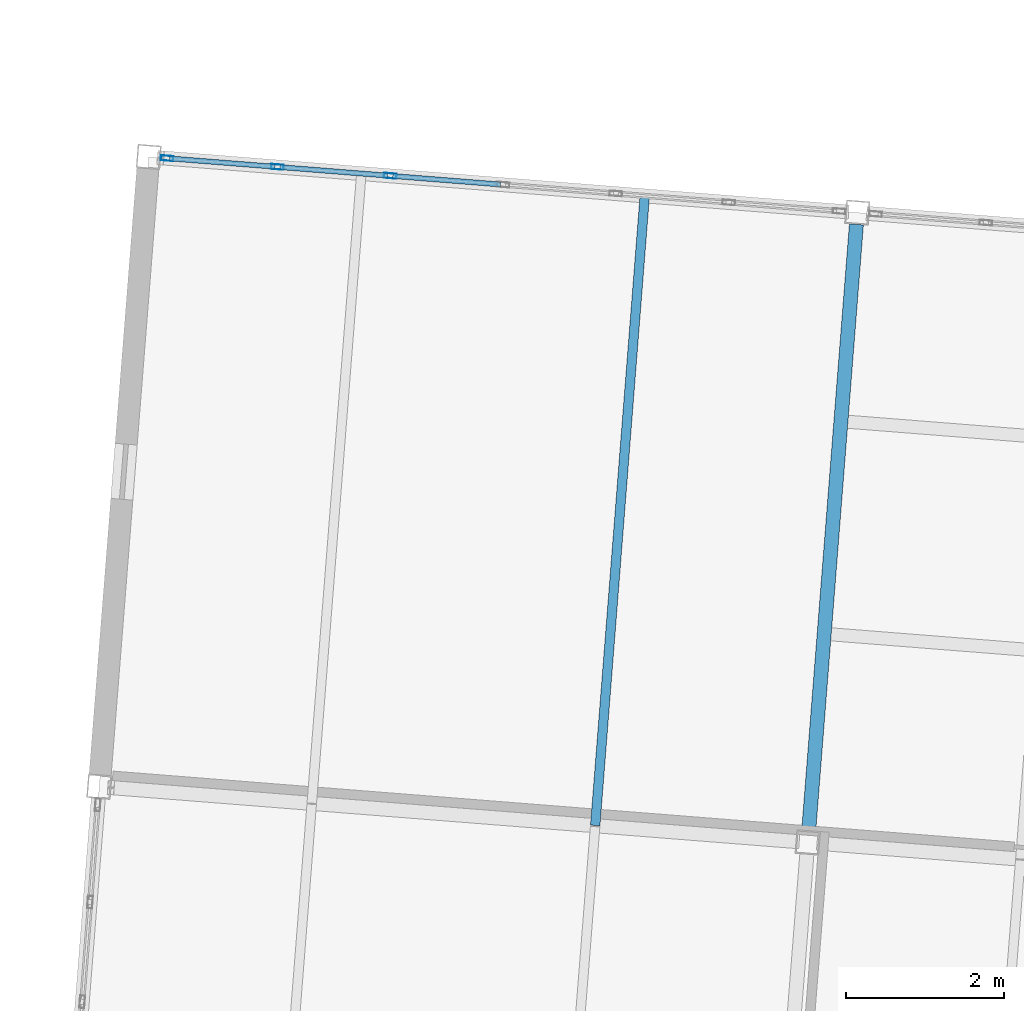
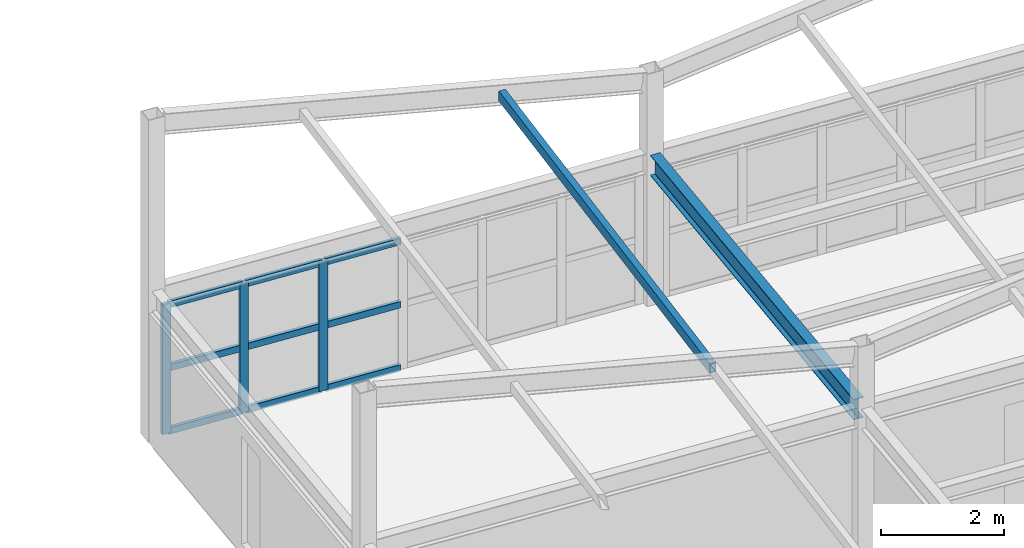
# One storey, part 46 of 127: 13 members, 1 beam, 1 element without a shape of its own.
"""IFC4 building model written with IfcOpenShell, lengths in metres."""

from ifc_helpers import new_model, si_unit, direction, frame, origin, origin_2d, place, context, subcontext, project, spatial, hollow_rectangle, i_section, extrude, material, material_profile, profile_set, type_object, element, aggregate, save


model = new_model("IFC4")

# Units and contexts
model_context = context("Model", 3, precision=1e-05, world=origin(), true_north=direction((0.0, 1.0)))
body_context = subcontext(model_context, "Body", "Model", "MODEL_VIEW")
ifc_project = project(units=[si_unit("LENGTHUNIT", "METRE"), si_unit("AREAUNIT", "SQUARE_METRE"), si_unit("VOLUMEUNIT", "CUBIC_METRE"), si_unit("PLANEANGLEUNIT", "RADIAN"), si_unit("MASSUNIT", "GRAM", prefix="KILO")], contexts=[model_context])

# Site, building, storey
site_placement = place(None, origin())
site = spatial("IfcSite", under=ifc_project, at=site_placement, CompositionType="ELEMENT")
building_placement = place(site_placement, origin())
building = spatial("IfcBuilding", under=site, at=building_placement, Name="Kestramere Prow Commons", CompositionType="ELEMENT")
storey_placement = place(building_placement, frame((0.0, 0.0, 8.39990234375)))
storey = spatial("IfcBuildingStorey", under=building, at=storey_placement, Name="L02", CompositionType="ELEMENT", Elevation=8.39990234375)

# Beam
ifc_material_1 = material(Name="Steel S355JR", Category="steel")
ifc_material_profile_1 = material_profile(ifc_material_1, i_section(OverallWidth=0.177978515625, OverallDepth=0.406494140625, WebThickness=0.0078125, FlangeThickness=0.0126953125, FilletRadius=0.01025390625, at=origin_2d()), Name="UB 406x178x60")
ifc_profile_set_1 = profile_set([ifc_material_profile_1], Name="Steel S355JR")
beam_type = type_object("IfcBeamType", Name="BM-NR-01 UB 406x178x60", PredefinedType="BEAM", material=ifc_profile_set_1)
beam_placement = place(storey_placement, frame((78.83935546875, 100.89404296875, 2.796875), z_axis=(0.078473620365, 0.996916190513, 0.0), x_axis=(-0.996916190513, 0.078473620365, 0.0)))
element("IfcBeam", 1, at=beam_placement, inside=storey, type_object=beam_type, Name="Nursery L02 Beam V 2-3", PredefinedType="BEAM", context=body_context, shape_type="SweptSolid", body=[
    extrude(i_section(OverallWidth=0.177978515625, OverallDepth=0.406494140625, WebThickness=0.0078125, FlangeThickness=0.0126953125, FilletRadius=0.01025390625, at=origin_2d()), origin(), (0.0, 0.0, 1.0), 7.699951171875),
])

# Curtain wall, members
ifc_material_2 = material(Name="Anodised Aluminium and Low-E Glass", Category="aluminium")
curtain_wall_type = type_object("IfcCurtainWallType", Name="CW-17 Glazed Curtain Wall 8600x2580", PredefinedType="USERDEFINED", material=ifc_material_2)
curtain_wall_placement = place(storey_placement, origin())
curtain_wall = element("IfcCurtainWall", 2, at=curtain_wall_placement, inside=storey, type_object=curtain_wall_type, Name="Nursery L02 North Garden Glazing 1", ObjectType="GLAZED CURTAIN WALL", PredefinedType="USERDEFINED")
ifc_material_3 = material(Name="Anodised Aluminium 6063-T6", Category="aluminium")
ifc_material_profile_2 = material_profile(ifc_material_3, hollow_rectangle(XDim=0.06494140625, YDim=0.159912109375, WallThickness=0.00390625, at=origin_2d()), Name="ALU-MUL 65x160")
ifc_profile_set_2 = profile_set([ifc_material_profile_2], Name="Anodised Aluminium 6063-T6")
member_type_1 = type_object("IfcMemberType", Name="CW-MUL-65x160", PredefinedType="MULLION", material=ifc_profile_set_2)
member_1_placement = place(storey_placement, frame((70.71484375, 109.40771484375, 0.0), z_axis=(0.0, 0.0, 1.0), x_axis=(0.078459070568, 0.996917335713, 0.0)))
member_1 = element("IfcMember", 3, at=member_1_placement, type_object=member_type_1, Name="CW-17 mullion 1", PredefinedType="MULLION", context=body_context, shape_type="SweptSolid", body=[
    extrude(hollow_rectangle(XDim=0.06494140625, YDim=0.159912109375, WallThickness=0.00390625, at=origin_2d()), origin(), (0.0, 0.0, 1.0), 2.580078125),
])
member_2_placement = place(storey_placement, frame((72.111328125, 109.2978515625, 0.0), z_axis=(0.0, 0.0, 1.0), x_axis=(0.078459070568, 0.996917335713, 0.0)))
member_2 = element("IfcMember", 4, at=member_2_placement, type_object=member_type_1, Name="CW-17 mullion 2", PredefinedType="MULLION", context=body_context, shape_type="SweptSolid", body=[
    extrude(hollow_rectangle(XDim=0.06494140625, YDim=0.159912109375, WallThickness=0.00390625, at=origin_2d()), origin(), (0.0, 0.0, 1.0), 2.580078125),
])
member_3_placement = place(storey_placement, frame((73.540283203125, 109.185302734375, 0.0), z_axis=(0.0, 0.0, 1.0), x_axis=(0.078459070568, 0.996917335713, 0.0)))
member_3 = element("IfcMember", 5, at=member_3_placement, type_object=member_type_1, Name="CW-17 mullion 3", PredefinedType="MULLION", context=body_context, shape_type="SweptSolid", body=[
    extrude(hollow_rectangle(XDim=0.06494140625, YDim=0.159912109375, WallThickness=0.00390625, at=origin_2d()), origin(), (0.0, 0.0, 1.0), 2.580078125),
])
ifc_material_profile_3 = material_profile(ifc_material_3, hollow_rectangle(XDim=0.06494140625, YDim=0.1298828125, WallThickness=0.00390625, at=origin_2d()), Name="ALU-TRN 65x130")
ifc_profile_set_3 = profile_set([ifc_material_profile_3], Name="Anodised Aluminium 6063-T6")
member_type_2 = type_object("IfcMemberType", Name="CW-TRN-65x130", PredefinedType="USERDEFINED", material=ifc_profile_set_3)
member_4_placement = place(storey_placement, frame((70.747314453125, 109.4052734375, 0.03271484375), z_axis=(0.996920751352, -0.07841565866, 0.0), x_axis=(0.07841565866, 0.996920751352, 0.0)))
member_4 = element("IfcMember", 6, at=member_4_placement, type_object=member_type_2, Name="CW-17 transom 1.1", ObjectType="TRANSOM", PredefinedType="USERDEFINED", context=body_context, shape_type="SweptSolid", body=[
    extrude(hollow_rectangle(XDim=0.06494140625, YDim=0.1298828125, WallThickness=0.00390625, at=origin_2d()), origin(), (0.0, 0.0, 1.0), 1.335693359375),
])
member_5_placement = place(storey_placement, frame((70.747314453125, 109.4052734375, 1.2900390625), z_axis=(0.996920751352, -0.07841565866, 0.0), x_axis=(0.07841565866, 0.996920751352, 0.0)))
member_5 = element("IfcMember", 7, at=member_5_placement, type_object=member_type_2, Name="CW-17 transom 1.2", ObjectType="TRANSOM", PredefinedType="USERDEFINED", context=body_context, shape_type="SweptSolid", body=[
    extrude(hollow_rectangle(XDim=0.06494140625, YDim=0.1298828125, WallThickness=0.00390625, at=origin_2d()), origin(), (0.0, 0.0, 1.0), 1.335693359375),
])
member_6_placement = place(storey_placement, frame((70.747314453125, 109.4052734375, 2.547607421875), z_axis=(0.996920751352, -0.07841565866, 0.0), x_axis=(0.07841565866, 0.996920751352, 0.0)))
member_6 = element("IfcMember", 8, at=member_6_placement, type_object=member_type_2, Name="CW-17 transom 1.3", ObjectType="TRANSOM", PredefinedType="USERDEFINED", context=body_context, shape_type="SweptSolid", body=[
    extrude(hollow_rectangle(XDim=0.06494140625, YDim=0.1298828125, WallThickness=0.00390625, at=origin_2d()), origin(), (0.0, 0.0, 1.0), 1.335693359375),
])
member_7_placement = place(storey_placement, frame((72.143798828125, 109.29541015625, 0.03271484375), z_axis=(0.996913235205, -0.07851115509, 0.0), x_axis=(0.07851115509, 0.996913235205, 0.0)))
member_7 = element("IfcMember", 9, at=member_7_placement, type_object=member_type_2, Name="CW-17 transom 2.1", ObjectType="TRANSOM", PredefinedType="USERDEFINED", context=body_context, shape_type="SweptSolid", body=[
    extrude(hollow_rectangle(XDim=0.06494140625, YDim=0.1298828125, WallThickness=0.00390625, at=origin_2d()), origin(), (0.0, 0.0, 1.0), 1.3681640625),
])
member_8_placement = place(storey_placement, frame((72.143798828125, 109.29541015625, 1.2900390625), z_axis=(0.996913235205, -0.07851115509, 0.0), x_axis=(0.07851115509, 0.996913235205, 0.0)))
member_8 = element("IfcMember", 10, at=member_8_placement, type_object=member_type_2, Name="CW-17 transom 2.2", ObjectType="TRANSOM", PredefinedType="USERDEFINED", context=body_context, shape_type="SweptSolid", body=[
    extrude(hollow_rectangle(XDim=0.06494140625, YDim=0.1298828125, WallThickness=0.00390625, at=origin_2d()), origin(), (0.0, 0.0, 1.0), 1.3681640625),
])
member_9_placement = place(storey_placement, frame((72.143798828125, 109.29541015625, 2.547607421875), z_axis=(0.996913235205, -0.07851115509, 0.0), x_axis=(0.07851115509, 0.996913235205, 0.0)))
member_9 = element("IfcMember", 11, at=member_9_placement, type_object=member_type_2, Name="CW-17 transom 2.3", ObjectType="TRANSOM", PredefinedType="USERDEFINED", context=body_context, shape_type="SweptSolid", body=[
    extrude(hollow_rectangle(XDim=0.06494140625, YDim=0.1298828125, WallThickness=0.00390625, at=origin_2d()), origin(), (0.0, 0.0, 1.0), 1.3681640625),
])
member_10_placement = place(storey_placement, frame((73.572509765625, 109.182861328125, 0.03271484375), z_axis=(0.996914334782, -0.078497191715, 0.0), x_axis=(0.078497191715, 0.996914334782, 0.0)))
member_10 = element("IfcMember", 12, at=member_10_placement, type_object=member_type_2, Name="CW-17 transom 3.1", ObjectType="TRANSOM", PredefinedType="USERDEFINED", context=body_context, shape_type="SweptSolid", body=[
    extrude(hollow_rectangle(XDim=0.06494140625, YDim=0.1298828125, WallThickness=0.00390625, at=origin_2d()), origin(), (0.0, 0.0, 1.0), 1.368408203125),
])
member_11_placement = place(storey_placement, frame((73.572509765625, 109.182861328125, 1.2900390625), z_axis=(0.996914334782, -0.078497191715, 0.0), x_axis=(0.078497191715, 0.996914334782, 0.0)))
member_11 = element("IfcMember", 13, at=member_11_placement, type_object=member_type_2, Name="CW-17 transom 3.2", ObjectType="TRANSOM", PredefinedType="USERDEFINED", context=body_context, shape_type="SweptSolid", body=[
    extrude(hollow_rectangle(XDim=0.06494140625, YDim=0.1298828125, WallThickness=0.00390625, at=origin_2d()), origin(), (0.0, 0.0, 1.0), 1.368408203125),
])
member_12_placement = place(storey_placement, frame((73.572509765625, 109.182861328125, 2.547607421875), z_axis=(0.996914334782, -0.078497191715, 0.0), x_axis=(0.078497191715, 0.996914334782, 0.0)))
member_12 = element("IfcMember", 14, at=member_12_placement, type_object=member_type_2, Name="CW-17 transom 3.3", ObjectType="TRANSOM", PredefinedType="USERDEFINED", context=body_context, shape_type="SweptSolid", body=[
    extrude(hollow_rectangle(XDim=0.06494140625, YDim=0.1298828125, WallThickness=0.00390625, at=origin_2d()), origin(), (0.0, 0.0, 1.0), 1.368408203125),
])
aggregate(curtain_wall, [member_1, member_2, member_3, member_4, member_5, member_6, member_7, member_8, member_9, member_10, member_11, member_12])

# Member
ifc_material_profile_4 = material_profile(ifc_material_1, hollow_rectangle(XDim=0.1201171875, YDim=0.199951171875, WallThickness=0.008056640625, at=origin_2d()), Name="RHS 200x120x8")
ifc_profile_set_4 = profile_set([ifc_material_profile_4], Name="Steel S355JR")
member_type_3 = type_object("IfcMemberType", Name="PUR-NR-01 RHS 200x120x8", PredefinedType="PURLIN", material=ifc_profile_set_4)
member_13_placement = place(storey_placement, frame((76.136474609375, 100.96435546875, 4.513916015625), z_axis=(0.078374248355, 0.995774452398, 0.047861436934), x_axis=(-0.996916934406, 0.078464169489, 0.0)))
element("IfcMember", 15, at=member_13_placement, inside=storey, type_object=member_type_3, Name="Nursery Roof Purlin 1-3-7", PredefinedType="PURLIN", context=body_context, shape_type="SweptSolid", body=[
    extrude(hollow_rectangle(XDim=0.1201171875, YDim=0.199951171875, WallThickness=0.008056640625, at=origin_2d()), origin(), (0.0, 0.0, 1.0), 7.9931640625),
])

save(model, "model.ifc")
